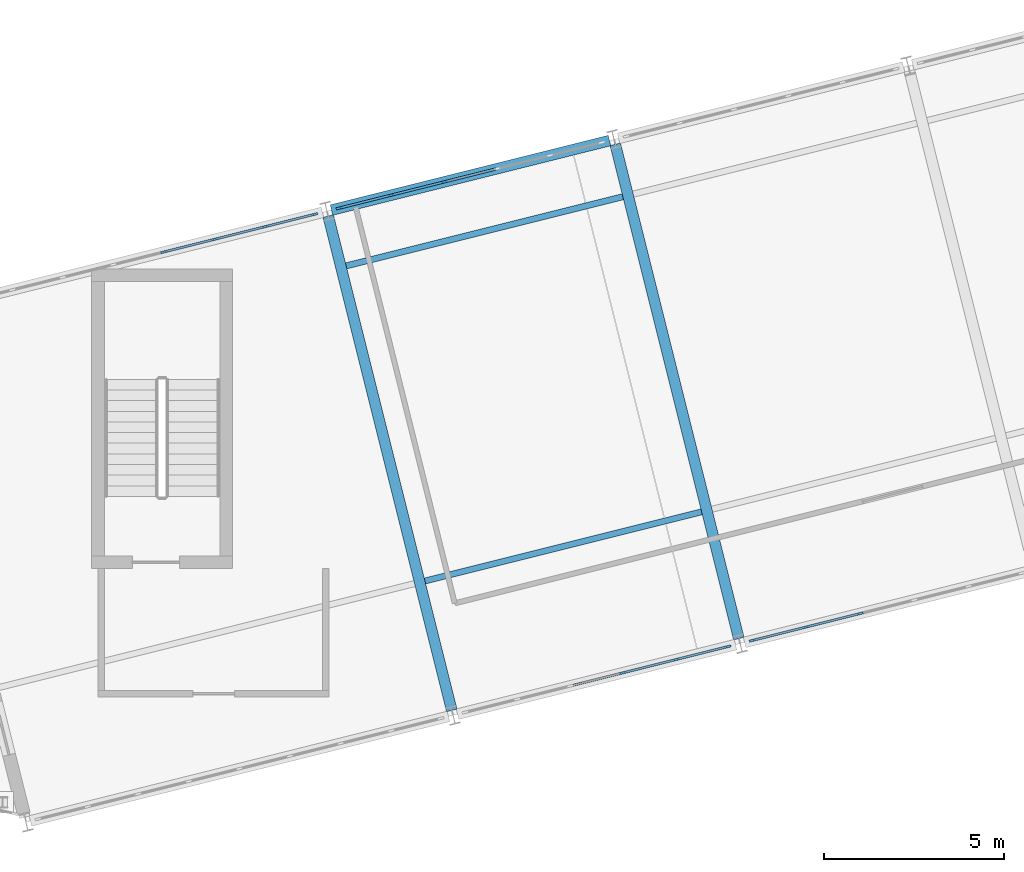
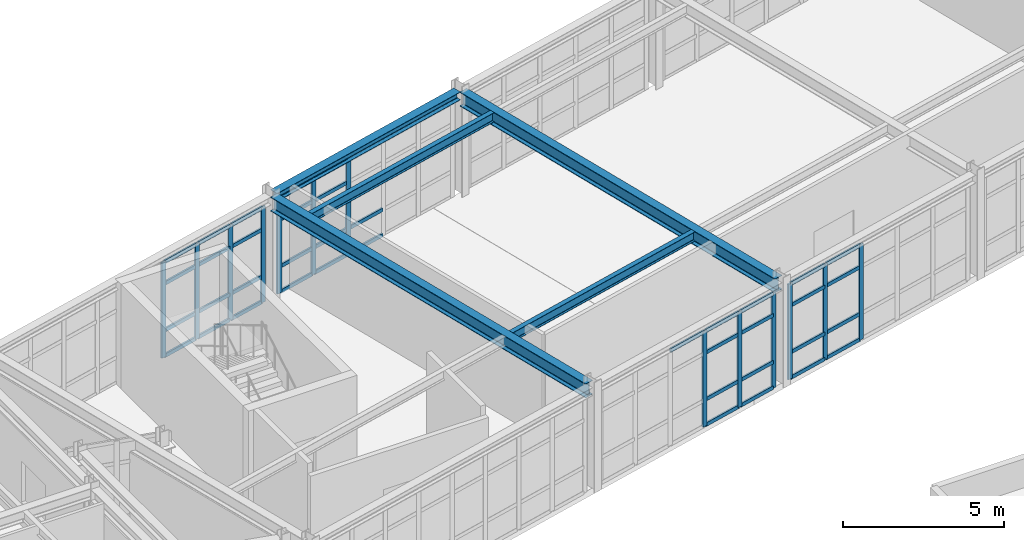
# One storey, part 27 of 99: 52 members, 5 beams, 4 elements without a shape of their own.
"""IFC4 building model written with IfcOpenShell, lengths in metres."""

from ifc_helpers import new_model, si_unit, direction, frame, origin, origin_2d, place, context, subcontext, project, spatial, rectangle, i_section, extrude, material, layer, layer_set, material_profile, profile_set, type_object, element, aggregate, save


model = new_model("IFC4")

# Units and contexts
model_context = context("Model", 3, precision=1e-05, world=origin(), true_north=direction((0.0, 1.0)))
body_context = subcontext(model_context, "Body", "Model", "MODEL_VIEW")
ifc_project = project(units=[si_unit("LENGTHUNIT", "METRE"), si_unit("AREAUNIT", "SQUARE_METRE"), si_unit("VOLUMEUNIT", "CUBIC_METRE"), si_unit("PLANEANGLEUNIT", "RADIAN"), si_unit("MASSUNIT", "GRAM", prefix="KILO")], contexts=[model_context])

# Site, building, storey
site_placement = place(None, origin())
site = spatial("IfcSite", under=ifc_project, at=site_placement, CompositionType="ELEMENT")
building_placement = place(site_placement, origin())
building = spatial("IfcBuilding", under=site, at=building_placement, Name="Nordkorset Police Headquarters", CompositionType="ELEMENT")
storey_placement = place(building_placement, frame((0.0, 0.0, 5.25)))
storey = spatial("IfcBuildingStorey", under=building, at=storey_placement, Name="L01", CompositionType="ELEMENT", Elevation=5.25)

# Beams
ifc_material_1 = material(Name="Steel S355J2", Category="steel")
ifc_material_profile_1 = material_profile(ifc_material_1, i_section(OverallWidth=0.169921875, OverallDepth=0.360107421875, WebThickness=0.008056640625, FlangeThickness=0.0126953125, FilletRadius=0.01806640625, at=origin_2d()), Name="IPE 360")
ifc_profile_set_1 = profile_set([ifc_material_profile_1], Name="Steel S355J2")
beam_type_1 = type_object("IfcBeamType", Name="Beam_IPE_360", PredefinedType="BEAM", material=ifc_profile_set_1)
for number, where, z_axis, x_axis, name in (
    (1, (34.65966796875, 48.681884765625, 3.780029296875), (0.970142500145, 0.242535625036, 0.0), (-0.242535625036, 0.970142500145, 0.0), "Splayed Wing Secondary Beam L01 1-1"),
    (2, (32.476806640625, 57.4130859375, 3.780029296875), (0.970142500145, 0.242535625036, 0.0), (-0.242535625036, 0.970142500145, 0.0), "Splayed Wing Secondary Beam L01 1-2"),
):
    element("IfcBeam", number, at=place(storey_placement, frame(where, z_axis=z_axis, x_axis=x_axis)), inside=storey, type_object=beam_type_1, Name=name, PredefinedType="BEAM", context=body_context, shape_type="SweptSolid", body=[
        extrude(i_section(OverallWidth=0.169921875, OverallDepth=0.360107421875, WebThickness=0.008056640625, FlangeThickness=0.0126953125, FilletRadius=0.01806640625, at=origin_2d()), origin(), (0.0, 0.0, 1.0), 7.89990234375),
    ])

# Curtain wall, members
ifc_material_2 = material(Name="Aluminium alloy AW-6060", Category="aluminium")
ifc_layer_1 = layer(ifc_material_2, 0.179931640625, Name="Aluminium alloy AW-6060")
ifc_layer_set_1 = layer_set([ifc_layer_1], Name="Aluminium alloy AW-6060")
curtain_wall_type_1 = type_object("IfcCurtainWallType", Name="CW_Unit_1156x363", PredefinedType="USERDEFINED", material=ifc_layer_set_1)
curtain_wall_1_placement = place(storey_placement, origin())
curtain_wall_1 = element("IfcCurtainWall", 3, at=curtain_wall_1_placement, inside=storey, type_object=curtain_wall_type_1, Name="Unitised Curtain Wall L01 V4N-0", ObjectType="UNITISED CURTAIN WALL", PredefinedType="USERDEFINED")
ifc_material_3 = material(Name="Aluminium alloy AW-6060", Category="aluminium")
ifc_material_profile_2 = material_profile(ifc_material_3, rectangle(XDim=0.06494140625, YDim=0.179931640625, at=origin_2d()), Name="ALU MULL 65x180")
ifc_profile_set_2 = profile_set([ifc_material_profile_2], Name="Aluminium alloy AW-6060")
member_type_1 = type_object("IfcMemberType", Name="CW_Mullion_65x180", PredefinedType="MULLION", material=ifc_profile_set_2)
member_1_placement = place(storey_placement, frame((27.42724609375, 57.800048828125, 0.0), z_axis=(0.0, 0.0, 1.0), x_axis=(-0.242536235663, 0.970142347489, 0.0)))
member_1 = element("IfcMember", 4, at=member_1_placement, type_object=member_type_1, Name="CW-01 mullion 6", PredefinedType="MULLION", context=body_context, shape_type="SweptSolid", body=[
    extrude(rectangle(XDim=0.06494140625, YDim=0.179931640625, at=origin_2d()), origin(), (0.0, 0.0, 1.0), 3.6298828125),
])
member_2_placement = place(storey_placement, frame((28.8291015625, 58.150390625, 0.0), z_axis=(0.0, 0.0, 1.0), x_axis=(-0.242536235663, 0.970142347489, 0.0)))
member_2 = element("IfcMember", 5, at=member_2_placement, type_object=member_type_1, Name="CW-01 mullion 7", PredefinedType="MULLION", context=body_context, shape_type="SweptSolid", body=[
    extrude(rectangle(XDim=0.06494140625, YDim=0.179931640625, at=origin_2d()), origin(), (0.0, 0.0, 1.0), 3.6298828125),
])
member_3_placement = place(storey_placement, frame((30.23095703125, 58.5009765625, 0.0), z_axis=(0.0, 0.0, 1.0), x_axis=(-0.242536235663, 0.970142347489, 0.0)))
member_3 = element("IfcMember", 6, at=member_3_placement, type_object=member_type_1, Name="CW-01 mullion 8", PredefinedType="MULLION", context=body_context, shape_type="SweptSolid", body=[
    extrude(rectangle(XDim=0.06494140625, YDim=0.179931640625, at=origin_2d()), origin(), (0.0, 0.0, 1.0), 3.6298828125),
])
member_4_placement = place(storey_placement, frame((31.601318359375, 58.843505859375, 0.0), z_axis=(0.0, 0.0, 1.0), x_axis=(-0.242536235663, 0.970142347489, 0.0)))
member_4 = element("IfcMember", 7, at=member_4_placement, type_object=member_type_1, Name="CW-01 mullion 9", PredefinedType="MULLION", context=body_context, shape_type="SweptSolid", body=[
    extrude(rectangle(XDim=0.06494140625, YDim=0.179931640625, at=origin_2d()), origin(), (0.0, 0.0, 1.0), 3.6298828125),
])

ifc_material_4 = material(Name="Aluminium alloy AW-6060", Category="aluminium")
ifc_layer_2 = layer(ifc_material_4, 0.179931640625, Name="Aluminium alloy AW-6060")
ifc_layer_set_2 = layer_set([ifc_layer_2], Name="Aluminium alloy AW-6060")
curtain_wall_type_2 = type_object("IfcCurtainWallType", Name="CW_Unit_756x363", PredefinedType="USERDEFINED", material=ifc_layer_set_2)
curtain_wall_2_placement = place(storey_placement, origin())
curtain_wall_2 = element("IfcCurtainWall", 8, at=curtain_wall_2_placement, inside=storey, type_object=curtain_wall_type_2, Name="Unitised Curtain Wall L01 V4S-1", ObjectType="UNITISED CURTAIN WALL", PredefinedType="USERDEFINED")
member_5_placement = place(storey_placement, frame((40.146728515625, 46.13671875, 0.0), z_axis=(0.0, 0.0, 1.0), x_axis=(-0.242535625038, 0.970142500145, 0.0)))
member_5 = element("IfcMember", 9, at=member_5_placement, type_object=member_type_1, Name="CW-24 mullion 4", PredefinedType="MULLION", context=body_context, shape_type="SweptSolid", body=[
    extrude(rectangle(XDim=0.06494140625, YDim=0.179931640625, at=origin_2d()), origin(), (0.0, 0.0, 1.0), 3.6298828125),
])
member_6_placement = place(storey_placement, frame((41.613525390625, 46.50341796875, 0.0), z_axis=(0.0, 0.0, 1.0), x_axis=(-0.242535625038, 0.970142500145, 0.0)))
member_6 = element("IfcMember", 10, at=member_6_placement, type_object=member_type_1, Name="CW-24 mullion 5", PredefinedType="MULLION", context=body_context, shape_type="SweptSolid", body=[
    extrude(rectangle(XDim=0.06494140625, YDim=0.179931640625, at=origin_2d()), origin(), (0.0, 0.0, 1.0), 3.6298828125),
])
member_7_placement = place(storey_placement, frame((43.048828125, 46.8623046875, 0.0), z_axis=(0.0, 0.0, 1.0), x_axis=(-0.242535625038, 0.970142500145, 0.0)))
member_7 = element("IfcMember", 11, at=member_7_placement, type_object=member_type_1, Name="CW-24 mullion 6", PredefinedType="MULLION", context=body_context, shape_type="SweptSolid", body=[
    extrude(rectangle(XDim=0.06494140625, YDim=0.179931640625, at=origin_2d()), origin(), (0.0, 0.0, 1.0), 3.6298828125),
])

curtain_wall_3_placement = place(storey_placement, origin())
curtain_wall_3 = element("IfcCurtainWall", 12, at=curtain_wall_3_placement, inside=storey, type_object=curtain_wall_type_2, Name="Unitised Curtain Wall L01 V4N-1", ObjectType="UNITISED CURTAIN WALL", PredefinedType="USERDEFINED")
member_8_placement = place(storey_placement, frame((32.28515625, 59.014404296875, 0.0), z_axis=(0.0, 0.0, 1.0), x_axis=(-0.242535625038, 0.970142500145, 0.0)))
member_8 = element("IfcMember", 13, at=member_8_placement, type_object=member_type_1, Name="CW-24 mullion 1", PredefinedType="MULLION", context=body_context, shape_type="SweptSolid", body=[
    extrude(rectangle(XDim=0.06494140625, YDim=0.179931640625, at=origin_2d()), origin(), (0.0, 0.0, 1.0), 3.6298828125),
])
member_9_placement = place(storey_placement, frame((33.720458984375, 59.373291015625, 0.0), z_axis=(0.0, 0.0, 1.0), x_axis=(-0.242535625038, 0.970142500145, 0.0)))
member_9 = element("IfcMember", 14, at=member_9_placement, type_object=member_type_1, Name="CW-24 mullion 2", PredefinedType="MULLION", context=body_context, shape_type="SweptSolid", body=[
    extrude(rectangle(XDim=0.06494140625, YDim=0.179931640625, at=origin_2d()), origin(), (0.0, 0.0, 1.0), 3.6298828125),
])
member_10_placement = place(storey_placement, frame((35.1875, 59.739990234375, 0.0), z_axis=(0.0, 0.0, 1.0), x_axis=(-0.242535625038, 0.970142500145, 0.0)))
member_10 = element("IfcMember", 15, at=member_10_placement, type_object=member_type_1, Name="CW-24 mullion 3", PredefinedType="MULLION", context=body_context, shape_type="SweptSolid", body=[
    extrude(rectangle(XDim=0.06494140625, YDim=0.179931640625, at=origin_2d()), origin(), (0.0, 0.0, 1.0), 3.6298828125),
])

ifc_material_5 = material(Name="Aluminium alloy AW-6060", Category="aluminium")
ifc_layer_3 = layer(ifc_material_5, 0.179931640625, Name="Aluminium alloy AW-6060")
ifc_layer_set_3 = layer_set([ifc_layer_3], Name="Aluminium alloy AW-6060")
curtain_wall_type_3 = type_object("IfcCurtainWallType", Name="CW_Unit_776x363", PredefinedType="USERDEFINED", material=ifc_layer_set_3)
curtain_wall_4_placement = place(storey_placement, origin())
curtain_wall_4 = element("IfcCurtainWall", 16, at=curtain_wall_4_placement, inside=storey, type_object=curtain_wall_type_3, Name="Unitised Curtain Wall L01 V4S-2", ObjectType="UNITISED CURTAIN WALL", PredefinedType="USERDEFINED")
member_11_placement = place(storey_placement, frame((43.73291015625, 47.033203125, 0.0), z_axis=(0.0, 0.0, 1.0), x_axis=(-0.24253471539, 0.970142727556, 0.0)))
member_11 = element("IfcMember", 17, at=member_11_placement, type_object=member_type_1, Name="CW-47 mullion 1", PredefinedType="MULLION", context=body_context, shape_type="SweptSolid", body=[
    extrude(rectangle(XDim=0.06494140625, YDim=0.179931640625, at=origin_2d()), origin(), (0.0, 0.0, 1.0), 3.6298828125),
])
member_12_placement = place(storey_placement, frame((45.20703125, 47.40185546875, 0.0), z_axis=(0.0, 0.0, 1.0), x_axis=(-0.24253471539, 0.970142727556, 0.0)))
member_12 = element("IfcMember", 18, at=member_12_placement, type_object=member_type_1, Name="CW-47 mullion 2", PredefinedType="MULLION", context=body_context, shape_type="SweptSolid", body=[
    extrude(rectangle(XDim=0.06494140625, YDim=0.179931640625, at=origin_2d()), origin(), (0.0, 0.0, 1.0), 3.6298828125),
])
member_13_placement = place(storey_placement, frame((46.712646484375, 47.778076171875, 0.0), z_axis=(0.0, 0.0, 1.0), x_axis=(-0.24253471539, 0.970142727556, 0.0)))
member_13 = element("IfcMember", 19, at=member_13_placement, type_object=member_type_1, Name="CW-47 mullion 3", PredefinedType="MULLION", context=body_context, shape_type="SweptSolid", body=[
    extrude(rectangle(XDim=0.06494140625, YDim=0.179931640625, at=origin_2d()), origin(), (0.0, 0.0, 1.0), 3.6298828125),
])

# Member
ifc_material_6 = material(Name="Aluminium alloy AW-6060", Category="aluminium")
ifc_material_profile_3 = material_profile(ifc_material_6, rectangle(XDim=0.06494140625, YDim=0.139892578125, at=origin_2d()), Name="ALU TRAN 65x140")
ifc_profile_set_3 = profile_set([ifc_material_profile_3], Name="Aluminium alloy AW-6060")
member_type_2 = type_object("IfcMemberType", Name="CW_Transom_65x140", PredefinedType="USERDEFINED", material=ifc_profile_set_3)
member_14_placement = place(storey_placement, frame((27.458740234375, 57.807861328125, 0.032470703125), z_axis=(0.970142500145, 0.242535625036, 0.0), x_axis=(-0.242535625036, 0.970142500145, 0.0)))
member_14 = element("IfcMember", 20, at=member_14_placement, type_object=member_type_2, Name="CW-01 transom 6.1", ObjectType="TRANSOM", PredefinedType="USERDEFINED", context=body_context, shape_type="SweptSolid", body=[
    extrude(rectangle(XDim=0.06494140625, YDim=0.139892578125, at=origin_2d()), origin(), (0.0, 0.0, 1.0), 1.380126953125),
])

member_15_placement = place(storey_placement, frame((27.458740234375, 57.807861328125, 1.0), z_axis=(0.970142500145, 0.242535625036, 0.0), x_axis=(-0.242535625036, 0.970142500145, 0.0)))
member_15 = element("IfcMember", 21, at=member_15_placement, type_object=member_type_2, Name="CW-01 transom 6.2", ObjectType="TRANSOM", PredefinedType="USERDEFINED", context=body_context, shape_type="SweptSolid", body=[
    extrude(rectangle(XDim=0.06494140625, YDim=0.139892578125, at=origin_2d()), origin(), (0.0, 0.0, 1.0), 1.380126953125),
])

member_16_placement = place(storey_placement, frame((27.458740234375, 57.807861328125, 2.780029296875), z_axis=(0.970142500145, 0.242535625036, 0.0), x_axis=(-0.242535625036, 0.970142500145, 0.0)))
member_16 = element("IfcMember", 22, at=member_16_placement, type_object=member_type_2, Name="CW-01 transom 6.3", ObjectType="TRANSOM", PredefinedType="USERDEFINED", context=body_context, shape_type="SweptSolid", body=[
    extrude(rectangle(XDim=0.06494140625, YDim=0.139892578125, at=origin_2d()), origin(), (0.0, 0.0, 1.0), 1.380126953125),
])

member_17_placement = place(storey_placement, frame((27.458740234375, 57.807861328125, 3.597412109375), z_axis=(0.970142500145, 0.242535625036, 0.0), x_axis=(-0.242535625036, 0.970142500145, 0.0)))
member_17 = element("IfcMember", 23, at=member_17_placement, type_object=member_type_2, Name="CW-01 transom 6.4", ObjectType="TRANSOM", PredefinedType="USERDEFINED", context=body_context, shape_type="SweptSolid", body=[
    extrude(rectangle(XDim=0.06494140625, YDim=0.139892578125, at=origin_2d()), origin(), (0.0, 0.0, 1.0), 1.380126953125),
])

member_18_placement = place(storey_placement, frame((28.860595703125, 58.158447265625, 0.032470703125), z_axis=(0.970184112154, 0.242369116275, 0.0), x_axis=(-0.242369116275, 0.970184112154, 0.0)))
member_18 = element("IfcMember", 24, at=member_18_placement, type_object=member_type_2, Name="CW-01 transom 7.1", ObjectType="TRANSOM", PredefinedType="USERDEFINED", context=body_context, shape_type="SweptSolid", body=[
    extrude(rectangle(XDim=0.06494140625, YDim=0.139892578125, at=origin_2d()), origin(), (0.0, 0.0, 1.0), 1.380126953125),
])

member_19_placement = place(storey_placement, frame((28.860595703125, 58.158447265625, 1.0), z_axis=(0.970184112154, 0.242369116275, 0.0), x_axis=(-0.242369116275, 0.970184112154, 0.0)))
member_19 = element("IfcMember", 25, at=member_19_placement, type_object=member_type_2, Name="CW-01 transom 7.2", ObjectType="TRANSOM", PredefinedType="USERDEFINED", context=body_context, shape_type="SweptSolid", body=[
    extrude(rectangle(XDim=0.06494140625, YDim=0.139892578125, at=origin_2d()), origin(), (0.0, 0.0, 1.0), 1.380126953125),
])

member_20_placement = place(storey_placement, frame((28.860595703125, 58.158447265625, 2.780029296875), z_axis=(0.970184112154, 0.242369116275, 0.0), x_axis=(-0.242369116275, 0.970184112154, 0.0)))
member_20 = element("IfcMember", 26, at=member_20_placement, type_object=member_type_2, Name="CW-01 transom 7.3", ObjectType="TRANSOM", PredefinedType="USERDEFINED", context=body_context, shape_type="SweptSolid", body=[
    extrude(rectangle(XDim=0.06494140625, YDim=0.139892578125, at=origin_2d()), origin(), (0.0, 0.0, 1.0), 1.380126953125),
])

member_21_placement = place(storey_placement, frame((28.860595703125, 58.158447265625, 3.597412109375), z_axis=(0.970184112154, 0.242369116275, 0.0), x_axis=(-0.242369116275, 0.970184112154, 0.0)))
member_21 = element("IfcMember", 27, at=member_21_placement, type_object=member_type_2, Name="CW-01 transom 7.4", ObjectType="TRANSOM", PredefinedType="USERDEFINED", context=body_context, shape_type="SweptSolid", body=[
    extrude(rectangle(XDim=0.06494140625, YDim=0.139892578125, at=origin_2d()), origin(), (0.0, 0.0, 1.0), 1.380126953125),
])

member_22_placement = place(storey_placement, frame((30.262451171875, 58.5087890625, 0.032470703125), z_axis=(0.970131842518, 0.242578251565, 0.0), x_axis=(-0.242578251565, 0.970131842518, 0.0)))
member_22 = element("IfcMember", 28, at=member_22_placement, type_object=member_type_2, Name="CW-01 transom 8.1", ObjectType="TRANSOM", PredefinedType="USERDEFINED", context=body_context, shape_type="SweptSolid", body=[
    extrude(rectangle(XDim=0.06494140625, YDim=0.139892578125, at=origin_2d()), origin(), (0.0, 0.0, 1.0), 1.34765625),
])

member_23_placement = place(storey_placement, frame((30.262451171875, 58.5087890625, 1.0), z_axis=(0.970131842518, 0.242578251565, 0.0), x_axis=(-0.242578251565, 0.970131842518, 0.0)))
member_23 = element("IfcMember", 29, at=member_23_placement, type_object=member_type_2, Name="CW-01 transom 8.2", ObjectType="TRANSOM", PredefinedType="USERDEFINED", context=body_context, shape_type="SweptSolid", body=[
    extrude(rectangle(XDim=0.06494140625, YDim=0.139892578125, at=origin_2d()), origin(), (0.0, 0.0, 1.0), 1.34765625),
])

member_24_placement = place(storey_placement, frame((30.262451171875, 58.5087890625, 2.780029296875), z_axis=(0.970131842518, 0.242578251565, 0.0), x_axis=(-0.242578251565, 0.970131842518, 0.0)))
member_24 = element("IfcMember", 30, at=member_24_placement, type_object=member_type_2, Name="CW-01 transom 8.3", ObjectType="TRANSOM", PredefinedType="USERDEFINED", context=body_context, shape_type="SweptSolid", body=[
    extrude(rectangle(XDim=0.06494140625, YDim=0.139892578125, at=origin_2d()), origin(), (0.0, 0.0, 1.0), 1.34765625),
])

member_25_placement = place(storey_placement, frame((30.262451171875, 58.5087890625, 3.597412109375), z_axis=(0.970131842518, 0.242578251565, 0.0), x_axis=(-0.242578251565, 0.970131842518, 0.0)))
member_25 = element("IfcMember", 31, at=member_25_placement, type_object=member_type_2, Name="CW-01 transom 8.4", ObjectType="TRANSOM", PredefinedType="USERDEFINED", context=body_context, shape_type="SweptSolid", body=[
    extrude(rectangle(XDim=0.06494140625, YDim=0.139892578125, at=origin_2d()), origin(), (0.0, 0.0, 1.0), 1.34765625),
])

aggregate(curtain_wall_1, [member_1, member_2, member_3, member_4, member_14, member_15, member_16, member_17, member_18, member_19, member_20, member_21, member_22, member_23, member_24, member_25])

member_26_placement = place(storey_placement, frame((38.71142578125, 45.77783203125, 3.597412109375), z_axis=(0.97012264784, 0.242615020451, 0.0), x_axis=(-0.242615020451, 0.97012264784, 0.0)))
member_26 = element("IfcMember", 32, at=member_26_placement, type_object=member_type_2, Name="CW-24 transom 3.4", ObjectType="TRANSOM", PredefinedType="USERDEFINED", context=body_context, shape_type="SweptSolid", body=[
    extrude(rectangle(XDim=0.06494140625, YDim=0.139892578125, at=origin_2d()), origin(), (0.0, 0.0, 1.0), 1.447021484375),
])

member_27_placement = place(storey_placement, frame((40.17822265625, 46.14453125, 0.032470703125), z_axis=(0.97012264784, 0.242615020451, 0.0), x_axis=(-0.242615020451, 0.97012264784, 0.0)))
member_27 = element("IfcMember", 33, at=member_27_placement, type_object=member_type_2, Name="CW-24 transom 4.1", ObjectType="TRANSOM", PredefinedType="USERDEFINED", context=body_context, shape_type="SweptSolid", body=[
    extrude(rectangle(XDim=0.06494140625, YDim=0.139892578125, at=origin_2d()), origin(), (0.0, 0.0, 1.0), 1.447021484375),
])

member_28_placement = place(storey_placement, frame((40.17822265625, 46.14453125, 1.0), z_axis=(0.97012264784, 0.242615020451, 0.0), x_axis=(-0.242615020451, 0.97012264784, 0.0)))
member_28 = element("IfcMember", 34, at=member_28_placement, type_object=member_type_2, Name="CW-24 transom 4.2", ObjectType="TRANSOM", PredefinedType="USERDEFINED", context=body_context, shape_type="SweptSolid", body=[
    extrude(rectangle(XDim=0.06494140625, YDim=0.139892578125, at=origin_2d()), origin(), (0.0, 0.0, 1.0), 1.447021484375),
])

member_29_placement = place(storey_placement, frame((40.17822265625, 46.14453125, 2.780029296875), z_axis=(0.97012264784, 0.242615020451, 0.0), x_axis=(-0.242615020451, 0.97012264784, 0.0)))
member_29 = element("IfcMember", 35, at=member_29_placement, type_object=member_type_2, Name="CW-24 transom 4.3", ObjectType="TRANSOM", PredefinedType="USERDEFINED", context=body_context, shape_type="SweptSolid", body=[
    extrude(rectangle(XDim=0.06494140625, YDim=0.139892578125, at=origin_2d()), origin(), (0.0, 0.0, 1.0), 1.447021484375),
])

member_30_placement = place(storey_placement, frame((40.17822265625, 46.14453125, 3.597412109375), z_axis=(0.97012264784, 0.242615020451, 0.0), x_axis=(-0.242615020451, 0.97012264784, 0.0)))
member_30 = element("IfcMember", 36, at=member_30_placement, type_object=member_type_2, Name="CW-24 transom 4.4", ObjectType="TRANSOM", PredefinedType="USERDEFINED", context=body_context, shape_type="SweptSolid", body=[
    extrude(rectangle(XDim=0.06494140625, YDim=0.139892578125, at=origin_2d()), origin(), (0.0, 0.0, 1.0), 1.447021484375),
])

member_31_placement = place(storey_placement, frame((41.64501953125, 46.51123046875, 0.032470703125), z_axis=(0.970152651902, 0.242495014396, 0.0), x_axis=(-0.242495014396, 0.970152651902, 0.0)))
member_31 = element("IfcMember", 37, at=member_31_placement, type_object=member_type_2, Name="CW-24 transom 5.1", ObjectType="TRANSOM", PredefinedType="USERDEFINED", context=body_context, shape_type="SweptSolid", body=[
    extrude(rectangle(XDim=0.06494140625, YDim=0.139892578125, at=origin_2d()), origin(), (0.0, 0.0, 1.0), 1.41455078125),
])

member_32_placement = place(storey_placement, frame((41.64501953125, 46.51123046875, 1.0), z_axis=(0.970152651902, 0.242495014396, 0.0), x_axis=(-0.242495014396, 0.970152651902, 0.0)))
member_32 = element("IfcMember", 38, at=member_32_placement, type_object=member_type_2, Name="CW-24 transom 5.2", ObjectType="TRANSOM", PredefinedType="USERDEFINED", context=body_context, shape_type="SweptSolid", body=[
    extrude(rectangle(XDim=0.06494140625, YDim=0.139892578125, at=origin_2d()), origin(), (0.0, 0.0, 1.0), 1.41455078125),
])

member_33_placement = place(storey_placement, frame((41.64501953125, 46.51123046875, 2.780029296875), z_axis=(0.970152651902, 0.242495014396, 0.0), x_axis=(-0.242495014396, 0.970152651902, 0.0)))
member_33 = element("IfcMember", 39, at=member_33_placement, type_object=member_type_2, Name="CW-24 transom 5.3", ObjectType="TRANSOM", PredefinedType="USERDEFINED", context=body_context, shape_type="SweptSolid", body=[
    extrude(rectangle(XDim=0.06494140625, YDim=0.139892578125, at=origin_2d()), origin(), (0.0, 0.0, 1.0), 1.41455078125),
])

member_34_placement = place(storey_placement, frame((41.64501953125, 46.51123046875, 3.597412109375), z_axis=(0.970152651902, 0.242495014396, 0.0), x_axis=(-0.242495014396, 0.970152651902, 0.0)))
member_34 = element("IfcMember", 40, at=member_34_placement, type_object=member_type_2, Name="CW-24 transom 5.4", ObjectType="TRANSOM", PredefinedType="USERDEFINED", context=body_context, shape_type="SweptSolid", body=[
    extrude(rectangle(XDim=0.06494140625, YDim=0.139892578125, at=origin_2d()), origin(), (0.0, 0.0, 1.0), 1.41455078125),
])

aggregate(curtain_wall_2, [member_5, member_6, member_7, member_26, member_27, member_28, member_29, member_30, member_31, member_32, member_33, member_34])

member_35_placement = place(storey_placement, frame((32.316650390625, 59.0224609375, 0.032470703125), z_axis=(0.970152651902, 0.242495014396, 0.0), x_axis=(-0.242495014396, 0.970152651902, 0.0)))
member_35 = element("IfcMember", 41, at=member_35_placement, type_object=member_type_2, Name="CW-24 transom 1.1", ObjectType="TRANSOM", PredefinedType="USERDEFINED", context=body_context, shape_type="SweptSolid", body=[
    extrude(rectangle(XDim=0.06494140625, YDim=0.139892578125, at=origin_2d()), origin(), (0.0, 0.0, 1.0), 1.41455078125),
])

member_36_placement = place(storey_placement, frame((32.316650390625, 59.0224609375, 1.0), z_axis=(0.970152651902, 0.242495014396, 0.0), x_axis=(-0.242495014396, 0.970152651902, 0.0)))
member_36 = element("IfcMember", 42, at=member_36_placement, type_object=member_type_2, Name="CW-24 transom 1.2", ObjectType="TRANSOM", PredefinedType="USERDEFINED", context=body_context, shape_type="SweptSolid", body=[
    extrude(rectangle(XDim=0.06494140625, YDim=0.139892578125, at=origin_2d()), origin(), (0.0, 0.0, 1.0), 1.41455078125),
])

member_37_placement = place(storey_placement, frame((32.316650390625, 59.0224609375, 2.780029296875), z_axis=(0.970152651902, 0.242495014396, 0.0), x_axis=(-0.242495014396, 0.970152651902, 0.0)))
member_37 = element("IfcMember", 43, at=member_37_placement, type_object=member_type_2, Name="CW-24 transom 1.3", ObjectType="TRANSOM", PredefinedType="USERDEFINED", context=body_context, shape_type="SweptSolid", body=[
    extrude(rectangle(XDim=0.06494140625, YDim=0.139892578125, at=origin_2d()), origin(), (0.0, 0.0, 1.0), 1.41455078125),
])

member_38_placement = place(storey_placement, frame((32.316650390625, 59.0224609375, 3.597412109375), z_axis=(0.970152651902, 0.242495014396, 0.0), x_axis=(-0.242495014396, 0.970152651902, 0.0)))
member_38 = element("IfcMember", 44, at=member_38_placement, type_object=member_type_2, Name="CW-24 transom 1.4", ObjectType="TRANSOM", PredefinedType="USERDEFINED", context=body_context, shape_type="SweptSolid", body=[
    extrude(rectangle(XDim=0.06494140625, YDim=0.139892578125, at=origin_2d()), origin(), (0.0, 0.0, 1.0), 1.41455078125),
])

member_39_placement = place(storey_placement, frame((33.751953125, 59.381103515625, 0.032470703125), z_axis=(0.97012264784, 0.242615020451, 0.0), x_axis=(-0.242615020451, 0.97012264784, 0.0)))
member_39 = element("IfcMember", 45, at=member_39_placement, type_object=member_type_2, Name="CW-24 transom 2.1", ObjectType="TRANSOM", PredefinedType="USERDEFINED", context=body_context, shape_type="SweptSolid", body=[
    extrude(rectangle(XDim=0.06494140625, YDim=0.139892578125, at=origin_2d()), origin(), (0.0, 0.0, 1.0), 1.447021484375),
])

member_40_placement = place(storey_placement, frame((33.751953125, 59.381103515625, 1.0), z_axis=(0.97012264784, 0.242615020451, 0.0), x_axis=(-0.242615020451, 0.97012264784, 0.0)))
member_40 = element("IfcMember", 46, at=member_40_placement, type_object=member_type_2, Name="CW-24 transom 2.2", ObjectType="TRANSOM", PredefinedType="USERDEFINED", context=body_context, shape_type="SweptSolid", body=[
    extrude(rectangle(XDim=0.06494140625, YDim=0.139892578125, at=origin_2d()), origin(), (0.0, 0.0, 1.0), 1.447021484375),
])

member_41_placement = place(storey_placement, frame((33.751953125, 59.381103515625, 2.780029296875), z_axis=(0.97012264784, 0.242615020451, 0.0), x_axis=(-0.242615020451, 0.97012264784, 0.0)))
member_41 = element("IfcMember", 47, at=member_41_placement, type_object=member_type_2, Name="CW-24 transom 2.3", ObjectType="TRANSOM", PredefinedType="USERDEFINED", context=body_context, shape_type="SweptSolid", body=[
    extrude(rectangle(XDim=0.06494140625, YDim=0.139892578125, at=origin_2d()), origin(), (0.0, 0.0, 1.0), 1.447021484375),
])

member_42_placement = place(storey_placement, frame((33.751953125, 59.381103515625, 3.597412109375), z_axis=(0.97012264784, 0.242615020451, 0.0), x_axis=(-0.242615020451, 0.97012264784, 0.0)))
member_42 = element("IfcMember", 48, at=member_42_placement, type_object=member_type_2, Name="CW-24 transom 2.4", ObjectType="TRANSOM", PredefinedType="USERDEFINED", context=body_context, shape_type="SweptSolid", body=[
    extrude(rectangle(XDim=0.06494140625, YDim=0.139892578125, at=origin_2d()), origin(), (0.0, 0.0, 1.0), 1.447021484375),
])

member_43_placement = place(storey_placement, frame((35.218994140625, 59.747802734375, 0.032470703125), z_axis=(0.97012264784, 0.242615020451, 0.0), x_axis=(-0.242615020451, 0.97012264784, 0.0)))
member_43 = element("IfcMember", 49, at=member_43_placement, type_object=member_type_2, Name="CW-24 transom 3.1", ObjectType="TRANSOM", PredefinedType="USERDEFINED", context=body_context, shape_type="SweptSolid", body=[
    extrude(rectangle(XDim=0.06494140625, YDim=0.139892578125, at=origin_2d()), origin(), (0.0, 0.0, 1.0), 1.447021484375),
])

member_44_placement = place(storey_placement, frame((35.218994140625, 59.747802734375, 1.0), z_axis=(0.97012264784, 0.242615020451, 0.0), x_axis=(-0.242615020451, 0.97012264784, 0.0)))
member_44 = element("IfcMember", 50, at=member_44_placement, type_object=member_type_2, Name="CW-24 transom 3.2", ObjectType="TRANSOM", PredefinedType="USERDEFINED", context=body_context, shape_type="SweptSolid", body=[
    extrude(rectangle(XDim=0.06494140625, YDim=0.139892578125, at=origin_2d()), origin(), (0.0, 0.0, 1.0), 1.447021484375),
])

aggregate(curtain_wall_3, [member_8, member_9, member_10, member_35, member_36, member_37, member_38, member_39, member_40, member_41, member_42, member_43, member_44])

member_45_placement = place(storey_placement, frame((43.764404296875, 47.041015625, 0.032470703125), z_axis=(0.970142500145, 0.242535625036, 0.0), x_axis=(-0.242535625036, 0.970142500145, 0.0)))
member_45 = element("IfcMember", 51, at=member_45_placement, type_object=member_type_2, Name="CW-47 transom 1.1", ObjectType="TRANSOM", PredefinedType="USERDEFINED", context=body_context, shape_type="SweptSolid", body=[
    extrude(rectangle(XDim=0.06494140625, YDim=0.139892578125, at=origin_2d()), origin(), (0.0, 0.0, 1.0), 1.45458984375),
])

member_46_placement = place(storey_placement, frame((43.764404296875, 47.041015625, 1.0), z_axis=(0.970142500145, 0.242535625036, 0.0), x_axis=(-0.242535625036, 0.970142500145, 0.0)))
member_46 = element("IfcMember", 52, at=member_46_placement, type_object=member_type_2, Name="CW-47 transom 1.2", ObjectType="TRANSOM", PredefinedType="USERDEFINED", context=body_context, shape_type="SweptSolid", body=[
    extrude(rectangle(XDim=0.06494140625, YDim=0.139892578125, at=origin_2d()), origin(), (0.0, 0.0, 1.0), 1.45458984375),
])

member_47_placement = place(storey_placement, frame((43.764404296875, 47.041015625, 2.780029296875), z_axis=(0.970142500145, 0.242535625036, 0.0), x_axis=(-0.242535625036, 0.970142500145, 0.0)))
member_47 = element("IfcMember", 53, at=member_47_placement, type_object=member_type_2, Name="CW-47 transom 1.3", ObjectType="TRANSOM", PredefinedType="USERDEFINED", context=body_context, shape_type="SweptSolid", body=[
    extrude(rectangle(XDim=0.06494140625, YDim=0.139892578125, at=origin_2d()), origin(), (0.0, 0.0, 1.0), 1.45458984375),
])

member_48_placement = place(storey_placement, frame((43.764404296875, 47.041015625, 3.597412109375), z_axis=(0.970142500145, 0.242535625036, 0.0), x_axis=(-0.242535625036, 0.970142500145, 0.0)))
member_48 = element("IfcMember", 54, at=member_48_placement, type_object=member_type_2, Name="CW-47 transom 1.4", ObjectType="TRANSOM", PredefinedType="USERDEFINED", context=body_context, shape_type="SweptSolid", body=[
    extrude(rectangle(XDim=0.06494140625, YDim=0.139892578125, at=origin_2d()), origin(), (0.0, 0.0, 1.0), 1.45458984375),
])

member_49_placement = place(storey_placement, frame((45.238525390625, 47.40966796875, 0.032470703125), z_axis=(0.970152157148, 0.242496993757, 0.0), x_axis=(-0.242496993757, 0.970152157148, 0.0)))
member_49 = element("IfcMember", 55, at=member_49_placement, type_object=member_type_2, Name="CW-47 transom 2.1", ObjectType="TRANSOM", PredefinedType="USERDEFINED", context=body_context, shape_type="SweptSolid", body=[
    extrude(rectangle(XDim=0.06494140625, YDim=0.139892578125, at=origin_2d()), origin(), (0.0, 0.0, 1.0), 1.487060546875),
])

member_50_placement = place(storey_placement, frame((45.238525390625, 47.40966796875, 1.0), z_axis=(0.970152157148, 0.242496993757, 0.0), x_axis=(-0.242496993757, 0.970152157148, 0.0)))
member_50 = element("IfcMember", 56, at=member_50_placement, type_object=member_type_2, Name="CW-47 transom 2.2", ObjectType="TRANSOM", PredefinedType="USERDEFINED", context=body_context, shape_type="SweptSolid", body=[
    extrude(rectangle(XDim=0.06494140625, YDim=0.139892578125, at=origin_2d()), origin(), (0.0, 0.0, 1.0), 1.487060546875),
])

member_51_placement = place(storey_placement, frame((45.238525390625, 47.40966796875, 2.780029296875), z_axis=(0.970152157148, 0.242496993757, 0.0), x_axis=(-0.242496993757, 0.970152157148, 0.0)))
member_51 = element("IfcMember", 57, at=member_51_placement, type_object=member_type_2, Name="CW-47 transom 2.3", ObjectType="TRANSOM", PredefinedType="USERDEFINED", context=body_context, shape_type="SweptSolid", body=[
    extrude(rectangle(XDim=0.06494140625, YDim=0.139892578125, at=origin_2d()), origin(), (0.0, 0.0, 1.0), 1.487060546875),
])

member_52_placement = place(storey_placement, frame((45.238525390625, 47.40966796875, 3.597412109375), z_axis=(0.970152157148, 0.242496993757, 0.0), x_axis=(-0.242496993757, 0.970152157148, 0.0)))
member_52 = element("IfcMember", 58, at=member_52_placement, type_object=member_type_2, Name="CW-47 transom 2.4", ObjectType="TRANSOM", PredefinedType="USERDEFINED", context=body_context, shape_type="SweptSolid", body=[
    extrude(rectangle(XDim=0.06494140625, YDim=0.139892578125, at=origin_2d()), origin(), (0.0, 0.0, 1.0), 1.487060546875),
])

aggregate(curtain_wall_4, [member_11, member_12, member_13, member_45, member_46, member_47, member_48, member_49, member_50, member_51, member_52])

# Beams
ifc_material_7 = material(Name="Steel S355J2", Category="steel")
ifc_material_profile_4 = material_profile(ifc_material_7, i_section(OverallWidth=0.300048828125, OverallDepth=0.5400390625, WebThickness=0.012451171875, FlangeThickness=0.02392578125, FilletRadius=0.027099609375, at=origin_2d()), Name="HEA 550")
ifc_profile_set_4 = profile_set([ifc_material_profile_4], Name="Steel S355J2")
beam_type_2 = type_object("IfcBeamType", Name="Girder_HEA_550", PredefinedType="USERDEFINED", material=ifc_profile_set_4)
for number, where, z_axis, x_axis, name in (
    (59, (35.40185546875, 45.0947265625, 3.68994140625), (-0.24253155672, 0.970143517215, 0.0), (-0.970143517215, -0.24253155672, 0.0), "Splayed Wing Transverse Girder L01 1"),
    (60, (43.35693359375, 47.08349609375, 3.68994140625), (-0.24253155672, 0.970143517215, 0.0), (-0.970143517215, -0.24253155672, 0.0), "Splayed Wing Transverse Girder L01 2"),
):
    element("IfcBeam", number, at=place(storey_placement, frame(where, z_axis=z_axis, x_axis=x_axis)), inside=storey, type_object=beam_type_2, Name=name, ObjectType="GIRDER", PredefinedType="USERDEFINED", context=body_context, shape_type="SweptSolid", body=[
        extrude(i_section(OverallWidth=0.300048828125, OverallDepth=0.5400390625, WebThickness=0.012451171875, FlangeThickness=0.02392578125, FilletRadius=0.027099609375, at=origin_2d()), origin(), (0.0, 0.0, 1.0), 14.1201171875),
    ])
ifc_material_8 = material(Name="Steel S355J2", Category="steel")
ifc_material_profile_5 = material_profile(ifc_material_8, i_section(OverallWidth=0.300048828125, OverallDepth=0.31005859375, WebThickness=0.009033203125, FlangeThickness=0.015380859375, FilletRadius=0.027099609375, at=origin_2d()), Name="HEA 320")
ifc_profile_set_5 = profile_set([ifc_material_profile_5], Name="Steel S355J2")
beam_type_3 = type_object("IfcBeamType", Name="Spandrel_HEA_320", PredefinedType="SPANDREL", material=ifc_profile_set_5)
beam_placement = place(storey_placement, frame((32.0693359375, 58.96044921875, 3.804931640625), z_axis=(0.970140691393, 0.242542859932, 0.0), x_axis=(-0.242542859932, 0.970140691393, 0.0)))
element("IfcBeam", 61, at=beam_placement, inside=storey, type_object=beam_type_3, Name="Splayed Wing Spandrel L01 1-1", PredefinedType="SPANDREL", context=body_context, shape_type="SweptSolid", body=[
    extrude(i_section(OverallWidth=0.300048828125, OverallDepth=0.31005859375, WebThickness=0.009033203125, FlangeThickness=0.015380859375, FilletRadius=0.027099609375, at=origin_2d()), origin(), (0.0, 0.0, 1.0), 7.93994140625),
])

save(model, "model.ifc")
